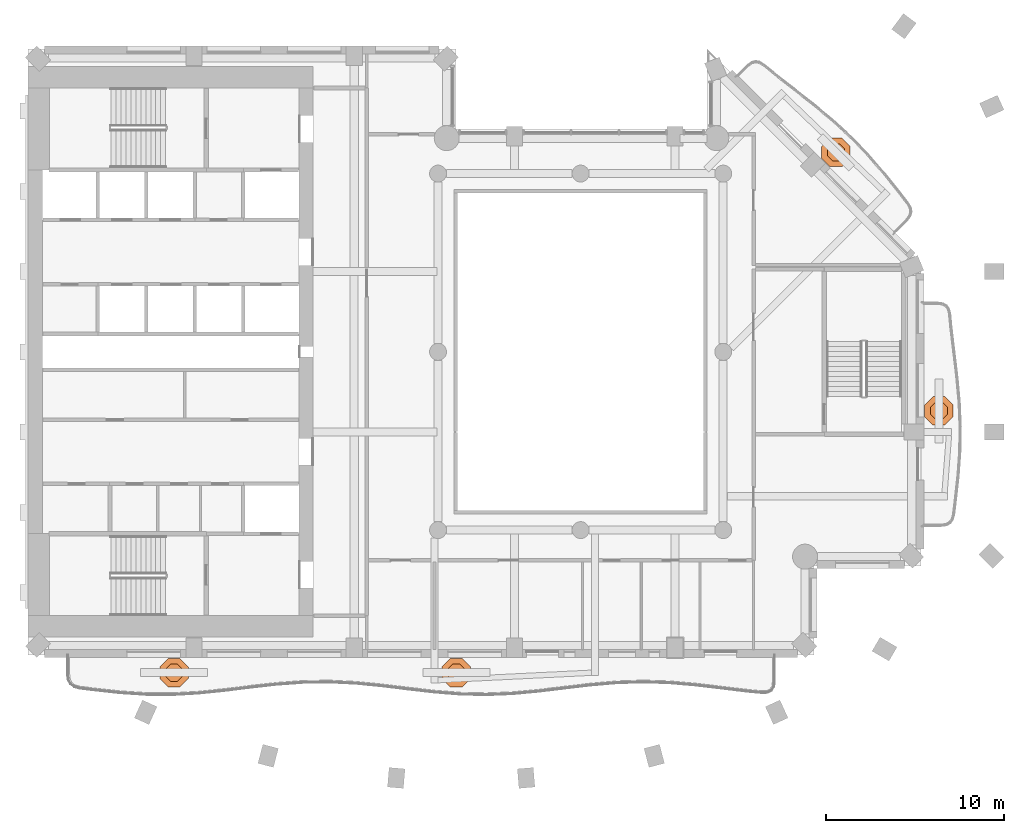
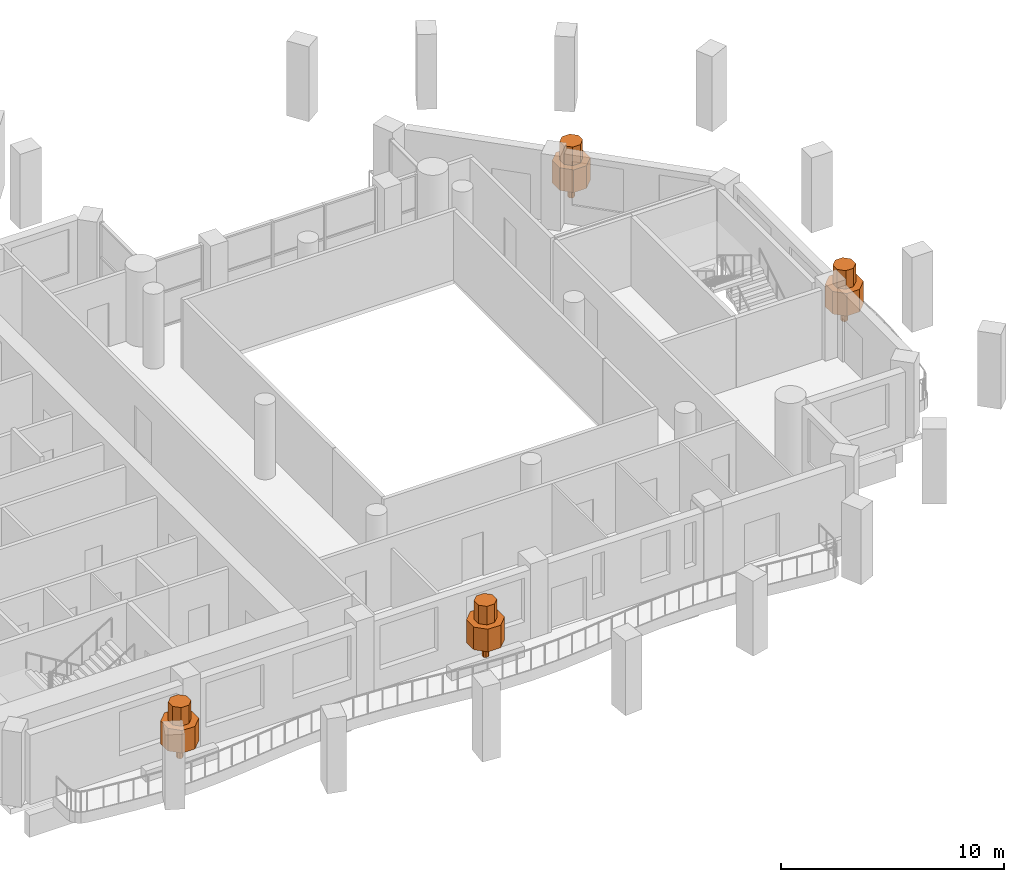
# One storey, part 15 of 15: 4 geographic elements.
"""IFC4 building model written with IfcOpenShell, lengths in metres."""

from ifc_helpers import new_model, si_unit, direction, frame, origin, place, context, subcontext, project, spatial, polyline, outline, extrude, material, type_object, element, save


model = new_model("IFC4")

# Units and contexts
model_context = context("Model", 3, precision=1e-05, world=origin(), true_north=direction((0.0, 1.0)))
body_context = subcontext(model_context, "Body", "Model", "MODEL_VIEW")
ifc_project = project(units=[si_unit("LENGTHUNIT", "METRE"), si_unit("AREAUNIT", "SQUARE_METRE"), si_unit("VOLUMEUNIT", "CUBIC_METRE"), si_unit("PLANEANGLEUNIT", "RADIAN"), si_unit("MASSUNIT", "GRAM", prefix="KILO")], contexts=[model_context])

# Site, building, storey
site_placement = place(None, origin())
site = spatial("IfcSite", under=ifc_project, at=site_placement, CompositionType="ELEMENT")
building_placement = place(site_placement, origin())
building = spatial("IfcBuilding", under=site, at=building_placement, Name="Cypress Arch Tower", CompositionType="ELEMENT")
storey_placement = place(building_placement, frame((0.0, 0.0, 213.800048828125)))
storey = spatial("IfcBuildingStorey", under=building, at=storey_placement, Name="L47", CompositionType="ELEMENT", Elevation=213.800048828125)

# Geographic elements
ifc_material = material(Name="Foliage and planting")
geographic_element_type = type_object("IfcGeographicElementType", Name="Balcony tree TR", PredefinedType="USERDEFINED", material=ifc_material)
for number, where, z_axis, x_axis, name in (
    (1, (-21.81005859375, -18.0, 0.599853515625), (0.0, 0.0, 1.0), (1.0, 0.0, 0.0), "Balcony tree L47-B01.1"),
    (2, (-5.969970703125, -18.0, 0.599853515625), (0.0, 0.0, 1.0), (1.0, 0.0, 0.0), "Balcony tree L47-B01.2"),
    (3, (21.10009765625, -3.308349609375, 0.599853515625), (0.0, 0.0, 1.0), (1.0, 0.0, 0.0), "Balcony tree L47-B04.1"),
    (4, (15.324462890625, 11.189697265625, 0.599853515625), (0.0, 0.0, 1.0), (1.0, 0.0, 0.0), "Balcony tree L47-B05.1"),
):
    element("IfcGeographicElement", number, at=place(storey_placement, frame(where, z_axis=z_axis, x_axis=x_axis)), inside=storey, type_object=geographic_element_type, Name=name, ObjectType="TREE", PredefinedType="USERDEFINED", context=body_context, shape_type="SweptSolid", body=[
        extrude(outline(polyline([(0.14990234375, 0.06201171875), (0.06201171875, 0.14990234375), (-0.06201171875, 0.14990234375), (-0.14990234375, 0.06201171875), (-0.14990234375, -0.06201171875), (-0.06201171875, -0.14990234375), (0.06201171875, -0.14990234375), (0.14990234375, -0.06201171875), (0.14990234375, 0.06201171875)])), origin(), (0.0, 0.0, 1.0), 0.89990234375),
        extrude(outline(polyline([(0.800048828125, 0.331298828125), (0.331298828125, 0.800048828125), (-0.331298828125, 0.800048828125), (-0.800048828125, 0.331298828125), (-0.800048828125, -0.331298828125), (-0.331298828125, -0.800048828125), (0.331298828125, -0.800048828125), (0.800048828125, -0.331298828125), (0.800048828125, 0.331298828125)])), frame((0.0, 0.0, 0.800048828125)), (0.0, 0.0, 1.0), 1.237548828125),
        extrude(outline(polyline([(0.47998046875, 0.19873046875), (0.19873046875, 0.47998046875), (-0.19873046875, 0.47998046875), (-0.47998046875, 0.19873046875), (-0.47998046875, -0.19873046875), (-0.19873046875, -0.47998046875), (0.19873046875, -0.47998046875), (0.47998046875, -0.19873046875), (0.47998046875, 0.19873046875)])), frame((0.0, 0.0, 2.03759765625)), (0.0, 0.0, 1.0), 1.012451171875),
    ])

save(model, "model.ifc")
